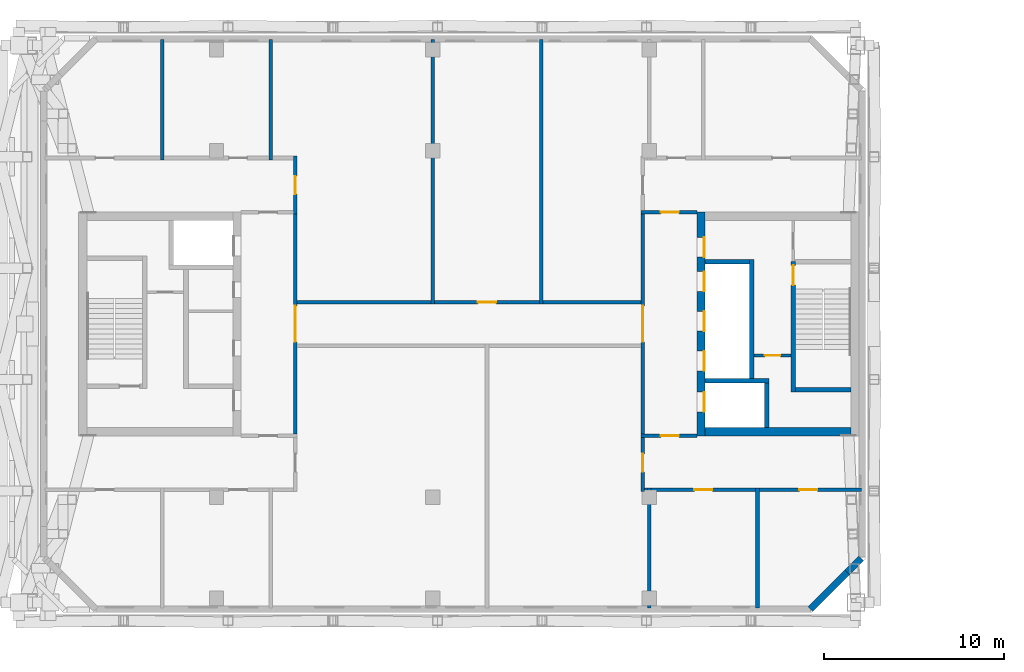
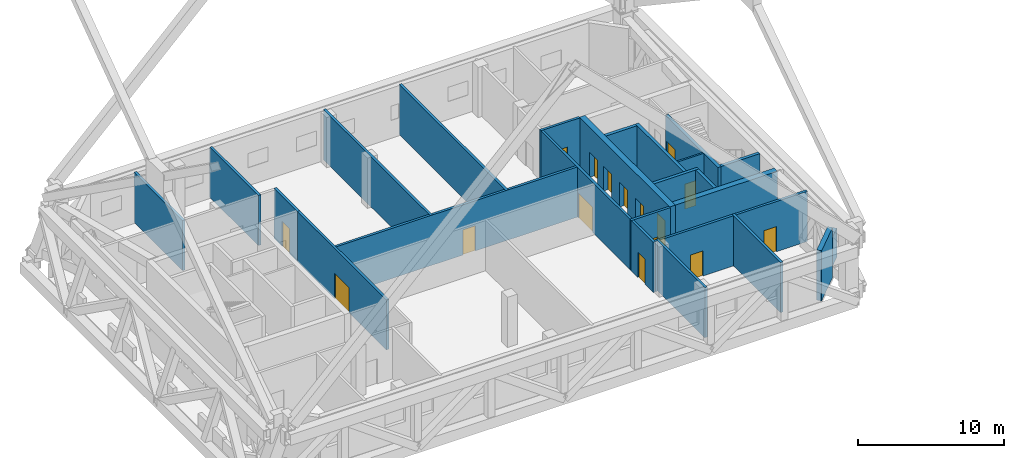
# One storey, part 9 of 20: 25 walls, 16 doors, 16 openings.
"""IFC4 building model written with IfcOpenShell, lengths in metres."""

from ifc_helpers import new_model, si_unit, direction, frame, frame_2d, origin, place, context, subcontext, project, spatial, rectangle, extrude, material, layer, layer_set, type_object, element, fill, save


model = new_model("IFC4")

# Units and contexts
model_context = context("Model", 3, precision=1e-05, world=origin(), true_north=direction((0.0, 1.0)))
body_context = subcontext(model_context, "Body", "Model", "MODEL_VIEW")
ifc_project = project(units=[si_unit("LENGTHUNIT", "METRE"), si_unit("AREAUNIT", "SQUARE_METRE"), si_unit("VOLUMEUNIT", "CUBIC_METRE"), si_unit("PLANEANGLEUNIT", "RADIAN"), si_unit("MASSUNIT", "GRAM", prefix="KILO")], contexts=[model_context])

# Site, building, storey
site_placement = place(None, origin())
site = spatial("IfcSite", under=ifc_project, at=site_placement, CompositionType="ELEMENT")
building_placement = place(site_placement, origin())
building = spatial("IfcBuilding", under=site, at=building_placement, Name="Tuart Gate Housing", CompositionType="ELEMENT")
storey_placement = place(building_placement, frame((0.0, 0.0, 167.10009765625)))
storey = spatial("IfcBuildingStorey", under=building, at=storey_placement, Name="L47", CompositionType="ELEMENT", Elevation=167.10009765625)

# Walls
ifc_material_1 = material(Name="Brick", Category="masonry")
ifc_layer_1 = layer(ifc_material_1, 0.360107421875)
ifc_layer_set_1 = layer_set([ifc_layer_1], Name="Brick pier and spandrel wall 360")
wall_type_1 = type_object("IfcWallType", Name="Brick pier and spandrel wall 360", PredefinedType="STANDARD", material=ifc_layer_set_1)
wall_1_placement = place(storey_placement, frame((72.92529296875, 54.179931640625, 0.0), z_axis=(0.0, 0.0, 1.0), x_axis=(0.707148882153, 0.707064677713, 0.0)))
element("IfcWall", 1, at=wall_1_placement, inside=storey, type_object=wall_type_1, Name="External wall A-SE L47", PredefinedType="STANDARD", context=body_context, shape_type="SweptSolid", body=[
    extrude(rectangle(XDim=2.8994140625, YDim=0.360107421875, at=frame_2d((1.44970703125, 0.0))), origin(), (0.0, 0.0, 1.0), 4.199951171875),
])
wall_2_placement = place(storey_placement, frame((74.9755859375, 56.22998046875, 0.952880859375), z_axis=(0.0, 0.0, 1.0), x_axis=(0.706994764273, 0.707218780358, 0.0)))
element("IfcWall", 2, at=wall_2_placement, inside=storey, type_object=wall_type_1, Name="External wall A-SE L47", PredefinedType="STANDARD", context=body_context, shape_type="SweptSolid", body=[
    extrude(rectangle(XDim=1.08984375, YDim=0.360107421875, at=frame_2d((0.544921875, 0.0))), origin(), (0.0, 0.0, 1.0), 2.444091796875),
])

# Wall, opening, door
ifc_material_2 = material(Name="Plasterboard partition")
ifc_layer_2 = layer(ifc_material_2, 0.14990234375)
ifc_layer_set_2 = layer_set([ifc_layer_2], Name="Core partition 150")
wall_type_2 = type_object("IfcWallType", Name="Core partition 150", PredefinedType="PARTITIONING", material=ifc_layer_set_2)
wall_3_placement = place(storey_placement, frame((69.81494140625, 68.25, 0.0), z_axis=(0.0, 0.0, 1.0), x_axis=(1.0, 0.0, 0.0)))
wall_3 = element("IfcWall", 3, at=wall_3_placement, inside=storey, type_object=wall_type_2, Name="Core partition AG.3", PredefinedType="PARTITIONING", context=body_context, shape_type="SweptSolid", body=[
    extrude(rectangle(XDim=2.050048828125, YDim=0.14990234375, at=frame_2d((1.02490234375, 0.0))), origin(), (0.0, 0.0, 1.0), 4.199951171875),
])
opening_1_placement = place(wall_3_placement, frame((0.60009765625, 0.0, 0.0)))
opening_1 = element("IfcOpeningElement", 4, at=opening_1_placement, cuts=wall_3, Name="Opening D3456", PredefinedType="OPENING", context=body_context, shape_type="SweptSolid", body=[
    extrude(rectangle(XDim=0.85009765625, YDim=2.10009765625, at=frame_2d((0.425048828125, 1.050048828125))), frame((0.0, 0.0849609375, 0.0), z_axis=(0.0, -1.0, 0.0), x_axis=(1.0, 0.0, 0.0)), (0.0, 0.0, 1.0), 0.169921875),
])
ifc_material_3 = material(Name="Steel fire door", Category="steel")
door_type_1 = type_object("IfcDoorType", Name="Riser door 850 x 2100 RH", OperationType="SINGLE_SWING_RIGHT", PredefinedType="DOOR", material=ifc_material_3)
door_1_placement = place(opening_1_placement, frame((0.85009765625, 0.0, 0.0), z_axis=(0.0, 0.0, 1.0), x_axis=(-1.0, 0.0, 0.0)))
door_1 = element("IfcDoor", 5, at=door_1_placement, inside=storey, type_object=door_type_1, Name="Service room door AG.E1", OperationType="SINGLE_SWING_RIGHT", OverallHeight=2.10009765625, OverallWidth=0.85009765625, PredefinedType="DOOR", context=body_context, shape_type="SweptSolid", body=[
    extrude(rectangle(XDim=0.85009765625, YDim=2.10009765625, at=frame_2d((0.425048828125, 1.050048828125))), frame((0.0, 0.025146484375, 0.0), z_axis=(0.0, -1.0, 0.0), x_axis=(1.0, 0.0, 0.0)), (0.0, 0.0, 1.0), 0.050048828125),
])
fill(opening_1, door_1)

# Walls
ifc_material_4 = material(Name="Concrete C40", Category="concrete")
ifc_layer_3 = layer(ifc_material_4, 0.25)
ifc_layer_set_3 = layer_set([ifc_layer_3], Name="Core wall 250 C40")
wall_type_3 = type_object("IfcWallType", Name="Core wall 250 C40", PredefinedType="SHEAR", material=ifc_layer_set_3)
wall_4_placement = place(storey_placement, frame((72.114990234375, 66.35009765625, 0.0), z_axis=(0.0, 0.0, 1.0), x_axis=(1.0, 0.0, 0.0)))
element("IfcWall", 6, at=wall_4_placement, inside=storey, type_object=wall_type_3, Name="Core wall AG.1", PredefinedType="SHEAR", context=body_context, shape_type="SweptSolid", body=[
    extrude(rectangle(XDim=3.074951171875, YDim=0.25, at=frame_2d((1.53759765625, 0.0))), origin(), (0.0, 0.0, 1.0), 4.199951171875),
])
wall_5_placement = place(storey_placement, frame((67.090087890625, 66.85009765625, 0.0), z_axis=(0.0, 0.0, 1.0), x_axis=(1.0, 0.0, 0.0)))
element("IfcWall", 7, at=wall_5_placement, inside=storey, type_object=wall_type_3, Name="Core wall AG.2", PredefinedType="SHEAR", context=body_context, shape_type="SweptSolid", body=[
    extrude(rectangle(XDim=3.544921875, YDim=0.25, at=frame_2d((1.7724609375, 0.0))), origin(), (0.0, 0.0, 1.0), 4.199951171875),
])
wall_6_placement = place(storey_placement, frame((67.090087890625, 73.449951171875, 0.0), z_axis=(0.0, 0.0, 1.0), x_axis=(1.0, 0.0, 0.0)))
element("IfcWall", 8, at=wall_6_placement, inside=storey, type_object=wall_type_3, Name="Core wall AG.4", PredefinedType="SHEAR", context=body_context, shape_type="SweptSolid", body=[
    extrude(rectangle(XDim=2.474853515625, YDim=0.25, at=frame_2d((1.2373046875, 0.0))), origin(), (0.0, 0.0, 1.0), 4.199951171875),
])
wall_7_placement = place(storey_placement, frame((69.68994140625, 66.97509765625, 0.0), z_axis=(0.0, 0.0, 1.0), x_axis=(0.0, 1.0, 0.0)))
element("IfcWall", 9, at=wall_7_placement, inside=storey, type_object=wall_type_3, Name="Core wall AG.6", PredefinedType="SHEAR", context=body_context, shape_type="SweptSolid", body=[
    extrude(rectangle(XDim=6.599853515625, YDim=0.25, at=frame_2d((3.2998046875, 0.0))), origin(), (0.0, 0.0, 1.0), 4.199951171875),
])
wall_8_placement = place(storey_placement, frame((70.510009765625, 64.25, 0.0), z_axis=(0.0, 0.0, 1.0), x_axis=(0.0, 1.0, 0.0)))
element("IfcWall", 10, at=wall_8_placement, inside=storey, type_object=wall_type_3, Name="Core wall AG.7", PredefinedType="SHEAR", context=body_context, shape_type="SweptSolid", body=[
    extrude(rectangle(XDim=2.47509765625, YDim=0.25, at=frame_2d((1.237548828125, 0.0))), origin(), (0.0, 0.0, 1.0), 4.199951171875),
])

# Wall, opening, door
wall_9_placement = place(storey_placement, frame((71.989990234375, 66.22509765625, 0.0), z_axis=(0.0, 0.0, 1.0), x_axis=(0.0, 1.0, 0.0)))
wall_9 = element("IfcWall", 11, at=wall_9_placement, inside=storey, type_object=wall_type_3, Name="Core wall AG.8", PredefinedType="SHEAR", context=body_context, shape_type="SweptSolid", body=[
    extrude(rectangle(XDim=7.224853515625, YDim=0.25, at=frame_2d((3.6123046875, 0.0))), origin(), (0.0, 0.0, 1.0), 4.199951171875),
])
opening_2_placement = place(wall_9_placement, frame((5.925048828125, 0.0, 0.0)))
opening_2 = element("IfcOpeningElement", 12, at=opening_2_placement, cuts=wall_9, Name="Opening D3455", PredefinedType="OPENING", context=body_context, shape_type="SweptSolid", body=[
    extrude(rectangle(XDim=1.10009765625, YDim=2.10009765625, at=frame_2d((0.550048828125, 1.050048828125))), frame((0.0, 0.135009765625, 0.0), z_axis=(0.0, -1.0, 0.0), x_axis=(1.0, 0.0, 0.0)), (0.0, 0.0, 1.0), 0.27001953125),
])
ifc_material_5 = material(Name="Steel fire door", Category="steel")
door_type_2 = type_object("IfcDoorType", Name="Stair door 1100 x 2100", OperationType="SINGLE_SWING_LEFT", PredefinedType="DOOR", material=ifc_material_5)
door_2_placement = place(opening_2_placement, frame((1.10009765625, 0.0, 0.0), z_axis=(0.0, 0.0, 1.0), x_axis=(-1.0, 0.0, 0.0)))
door_2 = element("IfcDoor", 13, at=door_2_placement, inside=storey, type_object=door_type_2, Name="Stair door AG.SD", OperationType="SINGLE_SWING_LEFT", OverallHeight=2.10009765625, OverallWidth=1.10009765625, PredefinedType="DOOR", context=body_context, shape_type="SweptSolid", body=[
    extrude(rectangle(XDim=1.10009765625, YDim=2.10009765625, at=frame_2d((0.550048828125, 1.050048828125))), frame((0.0, 0.025146484375, 0.0), z_axis=(0.0, -1.0, 0.0), x_axis=(1.0, 0.0, 0.0)), (0.0, 0.0, 1.0), 0.050048828125),
])
fill(opening_2, door_2)

# Wall, openings, doors
ifc_material_6 = material(Name="Concrete C40", Category="concrete")
ifc_layer_4 = layer(ifc_material_6, 0.449951171875)
ifc_layer_set_4 = layer_set([ifc_layer_4], Name="Core wall 450 C40")
wall_type_4 = type_object("IfcWallType", Name="Core wall 450 C40", PredefinedType="SHEAR", material=ifc_layer_set_4)
wall_10_placement = place(storey_placement, frame((66.864990234375, 63.800048828125, 0.0), z_axis=(0.0, 0.0, 1.0), x_axis=(0.0, 1.0, 0.0)))
wall_10 = element("IfcWall", 14, at=wall_10_placement, inside=storey, type_object=wall_type_4, Name="Core wall AG front", PredefinedType="SHEAR", context=body_context, shape_type="SweptSolid", body=[
    extrude(rectangle(XDim=12.39990234375, YDim=0.449951171875, at=frame_2d((6.199951171875, 0.0))), origin(), (0.0, 0.0, 1.0), 4.199951171875),
])
opening_3_placement = place(wall_10_placement, frame((1.324951171875, 0.0, 0.0)))
opening_3 = element("IfcOpeningElement", 15, at=opening_3_placement, cuts=wall_10, Name="Opening LD-FA1", PredefinedType="OPENING", context=body_context, shape_type="SweptSolid", body=[
    extrude(rectangle(XDim=1.10009765625, YDim=2.10009765625, at=frame_2d((0.550048828125, 1.050048828125))), frame((0.0, 0.23486328125, 0.0), z_axis=(0.0, -1.0, 0.0), x_axis=(1.0, 0.0, 0.0)), (0.0, 0.0, 1.0), 0.469970703125),
])
opening_4_placement = place(wall_10_placement, frame((3.60009765625, 0.0, 0.0)))
opening_4 = element("IfcOpeningElement", 16, at=opening_4_placement, cuts=wall_10, Name="Opening LD-LA1", PredefinedType="OPENING", context=body_context, shape_type="SweptSolid", body=[
    extrude(rectangle(XDim=1.10009765625, YDim=2.10009765625, at=frame_2d((0.550048828125, 1.050048828125))), frame((0.0, 0.23486328125, 0.0), z_axis=(0.0, -1.0, 0.0), x_axis=(1.0, 0.0, 0.0)), (0.0, 0.0, 1.0), 0.469970703125),
])
opening_5_placement = place(wall_10_placement, frame((5.800048828125, 0.0, 0.0)))
opening_5 = element("IfcOpeningElement", 17, at=opening_5_placement, cuts=wall_10, Name="Opening LD-LA2", PredefinedType="OPENING", context=body_context, shape_type="SweptSolid", body=[
    extrude(rectangle(XDim=1.10009765625, YDim=2.10009765625, at=frame_2d((0.550048828125, 1.050048828125))), frame((0.0, 0.23486328125, 0.0), z_axis=(0.0, -1.0, 0.0), x_axis=(1.0, 0.0, 0.0)), (0.0, 0.0, 1.0), 0.469970703125),
])
opening_6_placement = place(wall_10_placement, frame((8.0, 0.0, 0.0)))
opening_6 = element("IfcOpeningElement", 18, at=opening_6_placement, cuts=wall_10, Name="Opening LD-LA3", PredefinedType="OPENING", context=body_context, shape_type="SweptSolid", body=[
    extrude(rectangle(XDim=1.10009765625, YDim=2.10009765625, at=frame_2d((0.550048828125, 1.050048828125))), frame((0.0, 0.23486328125, 0.0), z_axis=(0.0, -1.0, 0.0), x_axis=(1.0, 0.0, 0.0)), (0.0, 0.0, 1.0), 0.469970703125),
])
opening_7_placement = place(wall_10_placement, frame((9.89990234375, 0.0, 0.0)))
opening_7 = element("IfcOpeningElement", 19, at=opening_7_placement, cuts=wall_10, Name="Opening D3454", PredefinedType="OPENING", context=body_context, shape_type="SweptSolid", body=[
    extrude(rectangle(XDim=1.10009765625, YDim=2.10009765625, at=frame_2d((0.550048828125, 1.050048828125))), frame((0.0, 0.23486328125, 0.0), z_axis=(0.0, -1.0, 0.0), x_axis=(1.0, 0.0, 0.0)), (0.0, 0.0, 1.0), 0.469970703125),
])
ifc_material_7 = material(Name="Stainless steel", Category="steel")
door_type_3 = type_object("IfcDoorType", Name="Landing door 1100 x 2100", OperationType="DOUBLE_DOOR_SLIDING", PredefinedType="DOOR", material=ifc_material_7)
door_3_placement = place(opening_3_placement, origin())
door_3 = element("IfcDoor", 20, at=door_3_placement, inside=storey, type_object=door_type_3, Name="Lift landing door FA1", OperationType="DOUBLE_DOOR_SLIDING", OverallHeight=2.10009765625, OverallWidth=1.10009765625, PredefinedType="DOOR", context=body_context, shape_type="SweptSolid", body=[
    extrude(rectangle(XDim=1.10009765625, YDim=2.10009765625, at=frame_2d((0.550048828125, 1.050048828125))), frame((0.0, -0.16015625, 0.0), z_axis=(0.0, -1.0, 0.0), x_axis=(1.0, 0.0, 0.0)), (0.0, 0.0, 1.0), 0.050048828125),
])
fill(opening_3, door_3)
door_4_placement = place(opening_4_placement, origin())
door_4 = element("IfcDoor", 21, at=door_4_placement, inside=storey, type_object=door_type_3, Name="Lift landing door LA1", OperationType="DOUBLE_DOOR_SLIDING", OverallHeight=2.10009765625, OverallWidth=1.10009765625, PredefinedType="DOOR", context=body_context, shape_type="SweptSolid", body=[
    extrude(rectangle(XDim=1.10009765625, YDim=2.10009765625, at=frame_2d((0.550048828125, 1.050048828125))), frame((0.0, -0.16015625, 0.0), z_axis=(0.0, -1.0, 0.0), x_axis=(1.0, 0.0, 0.0)), (0.0, 0.0, 1.0), 0.050048828125),
])
fill(opening_4, door_4)
door_5_placement = place(opening_5_placement, origin())
door_5 = element("IfcDoor", 22, at=door_5_placement, inside=storey, type_object=door_type_3, Name="Lift landing door LA2", OperationType="DOUBLE_DOOR_SLIDING", OverallHeight=2.10009765625, OverallWidth=1.10009765625, PredefinedType="DOOR", context=body_context, shape_type="SweptSolid", body=[
    extrude(rectangle(XDim=1.10009765625, YDim=2.10009765625, at=frame_2d((0.550048828125, 1.050048828125))), frame((0.0, -0.16015625, 0.0), z_axis=(0.0, -1.0, 0.0), x_axis=(1.0, 0.0, 0.0)), (0.0, 0.0, 1.0), 0.050048828125),
])
fill(opening_5, door_5)
door_6_placement = place(opening_6_placement, origin())
door_6 = element("IfcDoor", 23, at=door_6_placement, inside=storey, type_object=door_type_3, Name="Lift landing door LA3", OperationType="DOUBLE_DOOR_SLIDING", OverallHeight=2.10009765625, OverallWidth=1.10009765625, PredefinedType="DOOR", context=body_context, shape_type="SweptSolid", body=[
    extrude(rectangle(XDim=1.10009765625, YDim=2.10009765625, at=frame_2d((0.550048828125, 1.050048828125))), frame((0.0, -0.16015625, 0.0), z_axis=(0.0, -1.0, 0.0), x_axis=(1.0, 0.0, 0.0)), (0.0, 0.0, 1.0), 0.050048828125),
])
fill(opening_6, door_6)
ifc_material_8 = material(Name="Steel fire door", Category="steel")
door_type_4 = type_object("IfcDoorType", Name="Lobby door 1100 x 2100 RH", OperationType="SINGLE_SWING_RIGHT", PredefinedType="DOOR", material=ifc_material_8)
door_7_placement = place(opening_7_placement, frame((1.10009765625, 0.0, 0.0), z_axis=(0.0, 0.0, 1.0), x_axis=(-1.0, 0.0, 0.0)))
door_7 = element("IfcDoor", 24, at=door_7_placement, inside=storey, type_object=door_type_4, Name="Lobby entry door AG.EN", OperationType="SINGLE_SWING_RIGHT", OverallHeight=2.10009765625, OverallWidth=1.10009765625, PredefinedType="DOOR", context=body_context, shape_type="SweptSolid", body=[
    extrude(rectangle(XDim=1.10009765625, YDim=2.10009765625, at=frame_2d((0.550048828125, 1.050048828125))), frame((0.0, 0.210205078125, 0.0), z_axis=(0.0, -1.0, 0.0), x_axis=(1.0, 0.0, 0.0)), (0.0, 0.0, 1.0), 0.050048828125),
])
fill(opening_7, door_7)

# Wall
wall_11_placement = place(storey_placement, frame((67.090087890625, 64.02490234375, 0.0), z_axis=(0.0, 0.0, 1.0), x_axis=(1.0, 0.0, 0.0)))
element("IfcWall", 25, at=wall_11_placement, inside=storey, type_object=wall_type_4, Name="Core wall AG south", PredefinedType="SHEAR", context=body_context, shape_type="SweptSolid", body=[
    extrude(rectangle(XDim=8.099853515625, YDim=0.449951171875, at=frame_2d((4.0498046875, 0.0))), origin(), (0.0, 0.0, 1.0), 4.199951171875),
])

# Wall, openings, doors
ifc_material_9 = material(Name="Concrete masonry 15 MPa", Category="masonry")
ifc_layer_5 = layer(ifc_material_9, 0.199951171875)
ifc_layer_set_5 = layer_set([ifc_layer_5], Name="Enclosure wall masonry 200")
wall_type_5 = type_object("IfcWallType", Name="Enclosure wall masonry 200", PredefinedType="PARTITIONING", material=ifc_layer_set_5)
wall_12_placement = place(storey_placement, frame((63.5400390625, 60.800048828125, 0.0), z_axis=(0.0, 0.0, 1.0), x_axis=(1.0, 0.0, 0.0)))
wall_12 = element("IfcWall", 26, at=wall_12_placement, inside=storey, type_object=wall_type_5, Name="Enclosure wall masonry 200", PredefinedType="PARTITIONING", context=body_context, shape_type="SweptSolid", body=[
    extrude(rectangle(XDim=12.219970703125, YDim=0.199951171875, at=frame_2d((6.10986328125, 0.0))), origin(), (0.0, 0.0, 1.0), 4.199951171875),
])
opening_8_placement = place(wall_12_placement, frame((2.9599609375, 0.0, 0.0)))
opening_8 = element("IfcOpeningElement", 27, at=opening_8_placement, cuts=wall_12, Name="Opening D3464", PredefinedType="OPENING", context=body_context, shape_type="SweptSolid", body=[
    extrude(rectangle(XDim=1.0, YDim=2.10009765625, at=frame_2d((0.5, 1.050048828125))), frame((0.0, 0.10986328125, 0.0), z_axis=(0.0, -1.0, 0.0), x_axis=(1.0, 0.0, 0.0)), (0.0, 0.0, 1.0), 0.219970703125),
])
opening_9_placement = place(wall_12_placement, frame((8.780029296875, 0.0, 0.0)))
opening_9 = element("IfcOpeningElement", 28, at=opening_9_placement, cuts=wall_12, Name="Opening D3465", PredefinedType="OPENING", context=body_context, shape_type="SweptSolid", body=[
    extrude(rectangle(XDim=1.0, YDim=2.10009765625, at=frame_2d((0.5, 1.050048828125))), frame((0.0, 0.10986328125, 0.0), z_axis=(0.0, -1.0, 0.0), x_axis=(1.0, 0.0, 0.0)), (0.0, 0.0, 1.0), 0.219970703125),
])
ifc_material_10 = material(Name="Timber door leaf in steel frame", Category="steel")
door_type_5 = type_object("IfcDoorType", Name="Fire door 1000 RH", OperationType="SINGLE_SWING_RIGHT", PredefinedType="DOOR", material=ifc_material_10)
door_8_placement = place(opening_8_placement, frame((1.0, 0.0, 0.0), z_axis=(0.0, 0.0, 1.0), x_axis=(-1.0, 0.0, 0.0)))
door_8 = element("IfcDoor", 29, at=door_8_placement, inside=storey, type_object=door_type_5, Name="Fire door 1000", OperationType="SINGLE_SWING_RIGHT", OverallHeight=2.10009765625, OverallWidth=1.0, PredefinedType="DOOR", context=body_context, shape_type="SweptSolid", body=[
    extrude(rectangle(XDim=1.0, YDim=2.10009765625, at=frame_2d((0.5, 1.050048828125))), frame((0.0, 0.025146484375, 0.0), z_axis=(0.0, -1.0, 0.0), x_axis=(1.0, 0.0, 0.0)), (0.0, 0.0, 1.0), 0.050048828125),
])
fill(opening_8, door_8)
door_9_placement = place(opening_9_placement, frame((1.0, 0.0, 0.0), z_axis=(0.0, 0.0, 1.0), x_axis=(-1.0, 0.0, 0.0)))
door_9 = element("IfcDoor", 30, at=door_9_placement, inside=storey, type_object=door_type_5, Name="Fire door 1000", OperationType="SINGLE_SWING_RIGHT", OverallHeight=2.10009765625, OverallWidth=1.0, PredefinedType="DOOR", context=body_context, shape_type="SweptSolid", body=[
    extrude(rectangle(XDim=1.0, YDim=2.10009765625, at=frame_2d((0.5, 1.050048828125))), frame((0.0, 0.025146484375, 0.0), z_axis=(0.0, -1.0, 0.0), x_axis=(1.0, 0.0, 0.0)), (0.0, 0.0, 1.0), 0.050048828125),
])
fill(opening_9, door_9)

# Wall, opening, door
wall_13_placement = place(storey_placement, frame((63.5400390625, 63.800048828125, 0.0), z_axis=(0.0, 0.0, 1.0), x_axis=(1.0, 0.0, 0.0)))
wall_13 = element("IfcWall", 31, at=wall_13_placement, inside=storey, type_object=wall_type_5, Name="Enclosure wall masonry 200", PredefinedType="PARTITIONING", context=body_context, shape_type="SweptSolid", body=[
    extrude(rectangle(XDim=3.099853515625, YDim=0.199951171875, at=frame_2d((1.5498046875, 0.0))), origin(), (0.0, 0.0, 1.0), 4.199951171875),
])
opening_10_placement = place(wall_13_placement, frame((1.10009765625, 0.0, 0.0)))
opening_10 = element("IfcOpeningElement", 32, at=opening_10_placement, cuts=wall_13, Name="Opening D3459", PredefinedType="OPENING", context=body_context, shape_type="SweptSolid", body=[
    extrude(rectangle(XDim=1.0, YDim=2.10009765625, at=frame_2d((0.5, 1.050048828125))), frame((0.0, 0.10986328125, 0.0), z_axis=(0.0, -1.0, 0.0), x_axis=(1.0, 0.0, 0.0)), (0.0, 0.0, 1.0), 0.219970703125),
])
ifc_material_11 = material(Name="Timber door leaf in steel frame", Category="steel")
door_type_6 = type_object("IfcDoorType", Name="Lobby door 1000 RH", OperationType="SINGLE_SWING_RIGHT", PredefinedType="DOOR", material=ifc_material_11)
door_10_placement = place(opening_10_placement, frame((1.0, 0.0, 0.0), z_axis=(0.0, 0.0, 1.0), x_axis=(-1.0, 0.0, 0.0)))
door_10 = element("IfcDoor", 33, at=door_10_placement, inside=storey, type_object=door_type_6, Name="Lobby door 1000", OperationType="SINGLE_SWING_RIGHT", OverallHeight=2.10009765625, OverallWidth=1.0, PredefinedType="DOOR", context=body_context, shape_type="SweptSolid", body=[
    extrude(rectangle(XDim=1.0, YDim=2.10009765625, at=frame_2d((0.5, 1.050048828125))), frame((0.0, 0.025146484375, 0.0), z_axis=(0.0, -1.0, 0.0), x_axis=(1.0, 0.0, 0.0)), (0.0, 0.0, 1.0), 0.050048828125),
])
fill(opening_10, door_10)

wall_14_placement = place(storey_placement, frame((44.360107421875, 71.199951171875, 0.0), z_axis=(0.0, 0.0, 1.0), x_axis=(1.0, 0.0, 0.0)))
wall_14 = element("IfcWall", 34, at=wall_14_placement, inside=storey, type_object=wall_type_5, Name="Enclosure wall masonry 200", PredefinedType="PARTITIONING", context=body_context, shape_type="SweptSolid", body=[
    extrude(rectangle(XDim=19.27978515625, YDim=0.199951171875, at=frame_2d((9.639892578125, 0.0))), origin(), (0.0, 0.0, 1.0), 4.199951171875),
])
opening_11_placement = place(wall_14_placement, frame((10.139892578125, 0.0, 0.0)))
opening_11 = element("IfcOpeningElement", 35, at=opening_11_placement, cuts=wall_14, Name="Opening D3448", PredefinedType="OPENING", context=body_context, shape_type="SweptSolid", body=[
    extrude(rectangle(XDim=1.0, YDim=2.10009765625, at=frame_2d((0.5, 1.050048828125))), frame((0.0, 0.10986328125, 0.0), z_axis=(0.0, -1.0, 0.0), x_axis=(1.0, 0.0, 0.0)), (0.0, 0.0, 1.0), 0.219970703125),
])
ifc_material_12 = material(Name="Timber door leaf in steel frame", Category="steel")
door_type_7 = type_object("IfcDoorType", Name="Fire door 1000", OperationType="SINGLE_SWING_LEFT", PredefinedType="DOOR", material=ifc_material_12)
door_11_placement = place(opening_11_placement, origin())
door_11 = element("IfcDoor", 36, at=door_11_placement, inside=storey, type_object=door_type_7, Name="Fire door 1000", OperationType="SINGLE_SWING_LEFT", OverallHeight=2.10009765625, OverallWidth=1.0, PredefinedType="DOOR", context=body_context, shape_type="SweptSolid", body=[
    extrude(rectangle(XDim=1.0, YDim=2.10009765625, at=frame_2d((0.5, 1.050048828125))), frame((0.0, 0.02490234375, 0.0), z_axis=(0.0, -1.0, 0.0), x_axis=(1.0, 0.0, 0.0)), (0.0, 0.0, 1.0), 0.050048828125),
])
fill(opening_11, door_11)

wall_15_placement = place(storey_placement, frame((63.5400390625, 76.199951171875, 0.0), z_axis=(0.0, 0.0, 1.0), x_axis=(1.0, 0.0, 0.0)))
wall_15 = element("IfcWall", 37, at=wall_15_placement, inside=storey, type_object=wall_type_5, Name="Enclosure wall masonry 200", PredefinedType="PARTITIONING", context=body_context, shape_type="SweptSolid", body=[
    extrude(rectangle(XDim=3.099853515625, YDim=0.199951171875, at=frame_2d((1.5498046875, 0.0))), origin(), (0.0, 0.0, 1.0), 4.199951171875),
])
opening_12_placement = place(wall_15_placement, frame((1.10009765625, 0.0, 0.0)))
opening_12 = element("IfcOpeningElement", 38, at=opening_12_placement, cuts=wall_15, Name="Opening D3445", PredefinedType="OPENING", context=body_context, shape_type="SweptSolid", body=[
    extrude(rectangle(XDim=1.0, YDim=2.10009765625, at=frame_2d((0.5, 1.050048828125))), frame((0.0, 0.10986328125, 0.0), z_axis=(0.0, -1.0, 0.0), x_axis=(1.0, 0.0, 0.0)), (0.0, 0.0, 1.0), 0.219970703125),
])
ifc_material_13 = material(Name="Timber door leaf in steel frame", Category="steel")
door_type_8 = type_object("IfcDoorType", Name="Lobby door 1000", OperationType="SINGLE_SWING_LEFT", PredefinedType="DOOR", material=ifc_material_13)
door_12_placement = place(opening_12_placement, origin())
door_12 = element("IfcDoor", 39, at=door_12_placement, inside=storey, type_object=door_type_8, Name="Lobby door 1000", OperationType="SINGLE_SWING_LEFT", OverallHeight=2.10009765625, OverallWidth=1.0, PredefinedType="DOOR", context=body_context, shape_type="SweptSolid", body=[
    extrude(rectangle(XDim=1.0, YDim=2.10009765625, at=frame_2d((0.5, 1.050048828125))), frame((0.0, 0.02490234375, 0.0), z_axis=(0.0, -1.0, 0.0), x_axis=(1.0, 0.0, 0.0)), (0.0, 0.0, 1.0), 0.050048828125),
])
fill(opening_12, door_12)

# Walls
for number, where, z_axis, x_axis, name in (
    (40, (37.0, 79.10009765625, 0.0), (0.0, 0.0, 1.0), (0.0, 1.0, 0.0), "Enclosure wall masonry 200"),
    (41, (43.0, 79.10009765625, 0.0), (0.0, 0.0, 1.0), (0.0, 1.0, 0.0), "Enclosure wall masonry 200"),
):
    element("IfcWall", number, at=place(storey_placement, frame(where, z_axis=z_axis, x_axis=x_axis)), inside=storey, type_object=wall_type_5, Name=name, PredefinedType="PARTITIONING", context=body_context, shape_type="SweptSolid", body=[
        extrude(rectangle(XDim=6.659912109375, YDim=0.199951171875, at=frame_2d((3.330078125, 0.0))), origin(), (0.0, 0.0, 1.0), 4.199951171875),
    ])

# Wall, opening, door
wall_16_placement = place(storey_placement, frame((44.360107421875, 76.10009765625, 0.0), z_axis=(0.0, 0.0, 1.0), x_axis=(0.0, 1.0, 0.0)))
wall_16 = element("IfcWall", 42, at=wall_16_placement, inside=storey, type_object=wall_type_5, Name="Enclosure wall masonry 200", PredefinedType="PARTITIONING", context=body_context, shape_type="SweptSolid", body=[
    extrude(rectangle(XDim=3.199951171875, YDim=0.199951171875, at=frame_2d((1.60009765625, 0.0))), origin(), (0.0, 0.0, 1.0), 4.199951171875),
])
opening_13_placement = place(wall_16_placement, frame((1.10009765625, 0.0, 0.0)))
opening_13 = element("IfcOpeningElement", 43, at=opening_13_placement, cuts=wall_16, Name="Opening D3442", PredefinedType="OPENING", context=body_context, shape_type="SweptSolid", body=[
    extrude(rectangle(XDim=1.0, YDim=2.10009765625, at=frame_2d((0.5, 1.050048828125))), frame((0.0, 0.10986328125, 0.0), z_axis=(0.0, -1.0, 0.0), x_axis=(1.0, 0.0, 0.0)), (0.0, 0.0, 1.0), 0.219970703125),
])
door_13_placement = place(opening_13_placement, frame((1.0, 0.0, 0.0), z_axis=(0.0, 0.0, 1.0), x_axis=(-1.0, 0.0, 0.0)))
door_13 = element("IfcDoor", 44, at=door_13_placement, inside=storey, type_object=door_type_5, Name="Fire door 1000", OperationType="SINGLE_SWING_RIGHT", OverallHeight=2.10009765625, OverallWidth=1.0, PredefinedType="DOOR", context=body_context, shape_type="SweptSolid", body=[
    extrude(rectangle(XDim=1.0, YDim=2.10009765625, at=frame_2d((0.5, 1.050048828125))), frame((0.0, 0.025146484375, 0.0), z_axis=(0.0, -1.0, 0.0), x_axis=(1.0, 0.0, 0.0)), (0.0, 0.0, 1.0), 0.050048828125),
])
fill(opening_13, door_13)

# Walls
for number, where, z_axis, x_axis, name in (
    (45, (52.0, 71.10009765625, 0.0), (0.0, 0.0, 1.0), (0.0, 1.0, 0.0), "Enclosure wall masonry 200"),
    (46, (58.0, 71.10009765625, 0.0), (0.0, 0.0, 1.0), (0.0, 1.0, 0.0), "Enclosure wall masonry 200"),
):
    element("IfcWall", number, at=place(storey_placement, frame(where, z_axis=z_axis, x_axis=x_axis)), inside=storey, type_object=wall_type_5, Name=name, PredefinedType="PARTITIONING", context=body_context, shape_type="SweptSolid", body=[
        extrude(rectangle(XDim=14.659912109375, YDim=0.199951171875, at=frame_2d((7.330078125, 0.0))), origin(), (0.0, 0.0, 1.0), 4.199951171875),
    ])

# Wall, opening, door
wall_17_placement = place(storey_placement, frame((63.639892578125, 60.699951171875, 0.0), z_axis=(0.0, 0.0, 1.0), x_axis=(0.0, 1.0, 0.0)))
wall_17 = element("IfcWall", 47, at=wall_17_placement, inside=storey, type_object=wall_type_5, Name="Enclosure wall masonry 200", PredefinedType="PARTITIONING", context=body_context, shape_type="SweptSolid", body=[
    extrude(rectangle(XDim=3.199951171875, YDim=0.199951171875, at=frame_2d((1.60009765625, 0.0))), origin(), (0.0, 0.0, 1.0), 4.199951171875),
])
opening_14_placement = place(wall_17_placement, frame((1.10009765625, 0.0, 0.0)))
opening_14 = element("IfcOpeningElement", 48, at=opening_14_placement, cuts=wall_17, Name="Opening D3461", PredefinedType="OPENING", context=body_context, shape_type="SweptSolid", body=[
    extrude(rectangle(XDim=1.0, YDim=2.10009765625, at=frame_2d((0.5, 1.050048828125))), frame((0.0, 0.10986328125, 0.0), z_axis=(0.0, -1.0, 0.0), x_axis=(1.0, 0.0, 0.0)), (0.0, 0.0, 1.0), 0.219970703125),
])
door_14_placement = place(opening_14_placement, origin())
door_14 = element("IfcDoor", 49, at=door_14_placement, inside=storey, type_object=door_type_5, Name="Fire door 1000", OperationType="SINGLE_SWING_RIGHT", OverallHeight=2.10009765625, OverallWidth=1.0, PredefinedType="DOOR", context=body_context, shape_type="SweptSolid", body=[
    extrude(rectangle(XDim=1.0, YDim=2.10009765625, at=frame_2d((0.5, 1.050048828125))), frame((0.0, 0.02490234375, 0.0), z_axis=(0.0, -1.0, 0.0), x_axis=(1.0, 0.0, 0.0)), (0.0, 0.0, 1.0), 0.050048828125),
])
fill(opening_14, door_14)

# Walls
for number, where, z_axis, x_axis, name in (
    (50, (64.0, 54.239990234375, 0.0), (0.0, 0.0, 1.0), (0.0, 1.0, 0.0), "Enclosure wall masonry 200"),
    (51, (70.0, 54.239990234375, 0.0), (0.0, 0.0, 1.0), (0.0, 1.0, 0.0), "Enclosure wall masonry 200"),
):
    element("IfcWall", number, at=place(storey_placement, frame(where, z_axis=z_axis, x_axis=x_axis)), inside=storey, type_object=wall_type_5, Name=name, PredefinedType="PARTITIONING", context=body_context, shape_type="SweptSolid", body=[
        extrude(rectangle(XDim=6.659912109375, YDim=0.199951171875, at=frame_2d((3.330078125, 0.0))), origin(), (0.0, 0.0, 1.0), 4.199951171875),
    ])

# Wall, opening, door
ifc_material_14 = material(Name="Plasterboard partition")
ifc_layer_6 = layer(ifc_material_14, 0.199951171875)
ifc_layer_set_6 = layer_set([ifc_layer_6], Name="Lobby wall 200")
wall_type_6 = type_object("IfcWallType", Name="Lobby wall 200", PredefinedType="PARTITIONING", material=ifc_layer_set_6)
wall_18_placement = place(storey_placement, frame((63.639892578125, 63.89990234375, 0.0), z_axis=(0.0, 0.0, 1.0), x_axis=(0.0, 1.0, 0.0)))
wall_18 = element("IfcWall", 52, at=wall_18_placement, inside=storey, type_object=wall_type_6, Name="Lift lobby wall AG", PredefinedType="PARTITIONING", context=body_context, shape_type="SweptSolid", body=[
    extrude(rectangle(XDim=12.2001953125, YDim=0.199951171875, at=frame_2d((6.10009765625, 0.0))), origin(), (0.0, 0.0, 1.0), 4.199951171875),
])
opening_15_placement = place(wall_18_placement, frame((5.10009765625, 0.0, 0.0)))
opening_15 = element("IfcOpeningElement", 53, at=opening_15_placement, cuts=wall_18, Name="Opening D3453", PredefinedType="OPENING", context=body_context, shape_type="SweptSolid", body=[
    extrude(rectangle(XDim=2.0, YDim=2.10009765625, at=frame_2d((1.0, 1.050048828125))), frame((0.0, 0.10986328125, 0.0), z_axis=(0.0, -1.0, 0.0), x_axis=(1.0, 0.0, 0.0)), (0.0, 0.0, 1.0), 0.219970703125),
])
ifc_material_15 = material(Name="Steel fire door", Category="steel")
door_type_9 = type_object("IfcDoorType", Name="Smoke door 2000 x 2100", OperationType="DOUBLE_DOOR_SINGLE_SWING", PredefinedType="DOOR", material=ifc_material_15)
door_15_placement = place(opening_15_placement, frame((2.0, 0.0, 0.0), z_axis=(0.0, 0.0, 1.0), x_axis=(-1.0, 0.0, 0.0)))
door_15 = element("IfcDoor", 54, at=door_15_placement, inside=storey, type_object=door_type_9, Name="Lift lobby smoke door AG", OperationType="DOUBLE_DOOR_SINGLE_SWING", OverallHeight=2.10009765625, OverallWidth=2.0, PredefinedType="DOOR", context=body_context, shape_type="SweptSolid", body=[
    extrude(rectangle(XDim=2.0, YDim=2.10009765625, at=frame_2d((1.0, 1.050048828125))), frame((0.0, 0.025146484375, 0.0), z_axis=(0.0, -1.0, 0.0), x_axis=(1.0, 0.0, 0.0)), (0.0, 0.0, 1.0), 0.050048828125),
])
fill(opening_15, door_15)

wall_19_placement = place(storey_placement, frame((44.360107421875, 63.89990234375, 0.0), z_axis=(0.0, 0.0, 1.0), x_axis=(0.0, 1.0, 0.0)))
wall_19 = element("IfcWall", 55, at=wall_19_placement, inside=storey, type_object=wall_type_6, Name="Lift lobby wall AK", PredefinedType="PARTITIONING", context=body_context, shape_type="SweptSolid", body=[
    extrude(rectangle(XDim=12.2001953125, YDim=0.199951171875, at=frame_2d((6.10009765625, 0.0))), origin(), (0.0, 0.0, 1.0), 4.199951171875),
])
opening_16_placement = place(wall_19_placement, frame((5.10009765625, 0.0, 0.0)))
opening_16 = element("IfcOpeningElement", 56, at=opening_16_placement, cuts=wall_19, Name="Opening D3452", PredefinedType="OPENING", context=body_context, shape_type="SweptSolid", body=[
    extrude(rectangle(XDim=2.0, YDim=2.10009765625, at=frame_2d((1.0, 1.050048828125))), frame((0.0, 0.10986328125, 0.0), z_axis=(0.0, -1.0, 0.0), x_axis=(1.0, 0.0, 0.0)), (0.0, 0.0, 1.0), 0.219970703125),
])
door_16_placement = place(opening_16_placement, origin())
door_16 = element("IfcDoor", 57, at=door_16_placement, inside=storey, type_object=door_type_9, Name="Lift lobby smoke door AK", OperationType="DOUBLE_DOOR_SINGLE_SWING", OverallHeight=2.10009765625, OverallWidth=2.0, PredefinedType="DOOR", context=body_context, shape_type="SweptSolid", body=[
    extrude(rectangle(XDim=2.0, YDim=2.10009765625, at=frame_2d((1.0, 1.050048828125))), frame((0.0, 0.02490234375, 0.0), z_axis=(0.0, -1.0, 0.0), x_axis=(1.0, 0.0, 0.0)), (0.0, 0.0, 1.0), 0.050048828125),
])
fill(opening_16, door_16)

save(model, "model.ifc")
